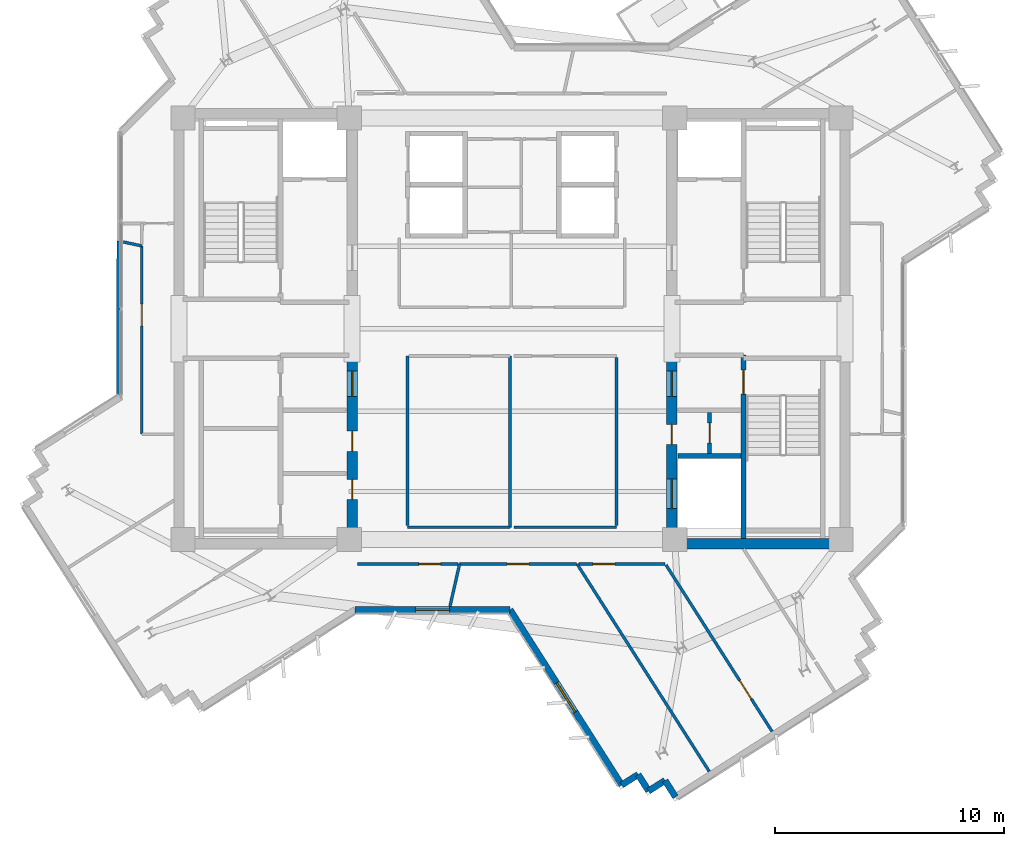
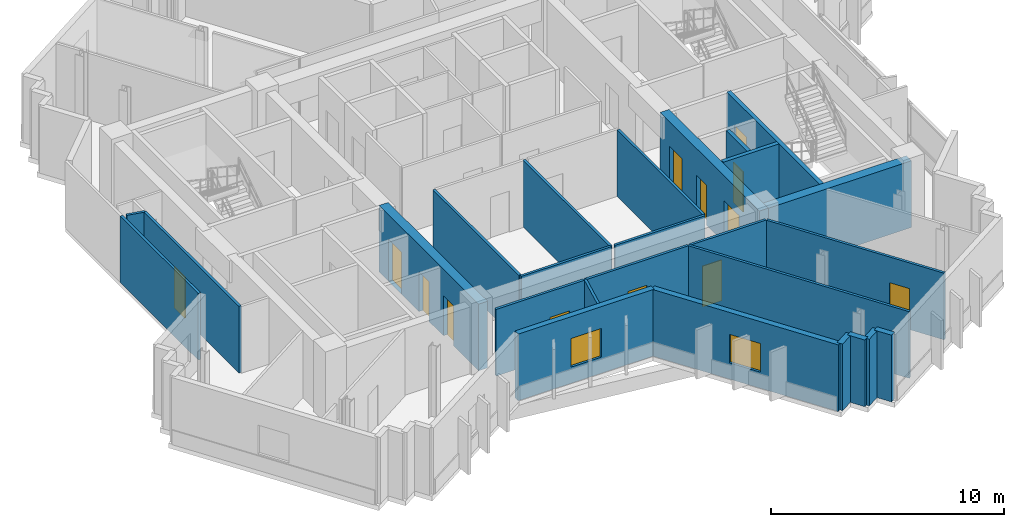
# One storey, part 5 of 12: 26 walls, 13 doors, 2 windows, 15 openings.
"""IFC4 building model written with IfcOpenShell, lengths in metres."""

from ifc_helpers import new_model, si_unit, direction, frame, frame_2d, origin, place, context, subcontext, project, spatial, rectangle, extrude, source, transform, mapped, material, layer, layer_set, type_object, element, fill, save


model = new_model("IFC4")

# Units and contexts
model_context = context("Model", 3, precision=1e-05, world=origin(), true_north=direction((0.0, 1.0)))
body_context = subcontext(model_context, "Body", "Model", "MODEL_VIEW")
ifc_project = project(units=[si_unit("LENGTHUNIT", "METRE"), si_unit("AREAUNIT", "SQUARE_METRE"), si_unit("VOLUMEUNIT", "CUBIC_METRE"), si_unit("PLANEANGLEUNIT", "RADIAN"), si_unit("MASSUNIT", "GRAM", prefix="KILO")], contexts=[model_context])

# Site, building, storey
site_placement = place(None, origin())
site = spatial("IfcSite", under=ifc_project, at=site_placement, CompositionType="ELEMENT")
building_placement = place(site_placement, origin())
building = spatial("IfcBuilding", under=site, at=building_placement, Name="Zahravan Cultural Tower", CompositionType="ELEMENT")
storey_placement = place(building_placement, frame((0.0, 0.0, 269.10009765625)))
storey = spatial("IfcBuildingStorey", under=building, at=storey_placement, Name="L64", CompositionType="ELEMENT", Elevation=269.10009765625)

# Wall, openings, doors
ifc_material_1 = material(Name="Concrete C50/60", Category="concrete")
ifc_layer_1 = layer(ifc_material_1, 0.449951171875)
ifc_layer_set_1 = layer_set([ifc_layer_1], Name="Concrete C50/60")
wall_type_1 = type_object("IfcWallType", Name="CW-SHEAR-450-C50", PredefinedType="SHEAR", material=ifc_layer_set_1)
wall_1_placement = place(storey_placement, frame((29.02490234375, 17.39990234375, 0.0), z_axis=(0.0, 0.0, 1.0), x_axis=(0.0, 1.0, 0.0)))
wall_1 = element("IfcWall", 1, at=wall_1_placement, inside=storey, type_object=wall_type_1, Name="L64 Core Shear Wall CW-W-ES-L64", PredefinedType="SHEAR", context=body_context, shape_type="SweptSolid", body=[
    extrude(rectangle(XDim=8.550048828125, YDim=0.449951171875, at=frame_2d((4.27490234375, 0.0))), origin(), (0.0, 0.0, 1.0), 3.5),
])
opening_1_placement = place(wall_1_placement, frame((6.64990234375, 0.0, 0.0)))
opening_1 = element("IfcOpeningElement", 2, at=opening_1_placement, cuts=wall_1, Name="Opening D-L64-08", PredefinedType="OPENING", context=body_context, shape_type="SweptSolid", body=[
    extrude(rectangle(XDim=1.10009765625, YDim=2.199951171875, at=frame_2d((0.550048828125, 1.10009765625))), frame((0.0, 0.23486328125, 0.0), z_axis=(0.0, -1.0, 0.0), x_axis=(1.0, 0.0, 0.0)), (0.0, 0.0, 1.0), 0.469970703125),
])
opening_2_placement = place(wall_1_placement, frame((2.14990234375, 0.0, 0.0)))
opening_2 = element("IfcOpeningElement", 3, at=opening_2_placement, cuts=wall_1, Name="Opening D-L64-10", PredefinedType="OPENING", context=body_context, shape_type="SweptSolid", body=[
    extrude(rectangle(XDim=0.8798828125, YDim=2.10009765625, at=frame_2d((0.43994140625, 1.050048828125))), frame((0.0, 0.23486328125, 0.0), z_axis=(0.0, -1.0, 0.0), x_axis=(1.0, 0.0, 0.0)), (0.0, 0.0, 1.0), 0.469970703125),
])
opening_3_placement = place(wall_1_placement, frame((4.25, 0.0, 0.0)))
opening_3 = element("IfcOpeningElement", 4, at=opening_3_placement, cuts=wall_1, Name="Opening D-L64-11", PredefinedType="OPENING", context=body_context, shape_type="SweptSolid", body=[
    extrude(rectangle(XDim=0.8798828125, YDim=2.10009765625, at=frame_2d((0.43994140625, 1.050048828125))), frame((0.0, 0.23486328125, 0.0), z_axis=(0.0, -1.0, 0.0), x_axis=(1.0, 0.0, 0.0)), (0.0, 0.0, 1.0), 0.469970703125),
])
ifc_material_2 = material(Name="Steel ASTM A572 Grade 50", Category="steel")
door_type_1 = type_object("IfcDoorType", Name="DR-LOBBY-1100", OperationType="NOTDEFINED", PredefinedType="DOOR", material=ifc_material_2)
shared_shape_1 = source(origin(), body_context, "Body", "SweptSolid", [
    extrude(rectangle(XDim=1.10009765625, YDim=2.199951171875, at=frame_2d((0.550048828125, 1.10009765625))), frame((0.0, 0.02490234375, 0.0), z_axis=(0.0, -1.0, 0.0), x_axis=(1.0, 0.0, 0.0)), (0.0, 0.0, 1.0), 0.050048828125),
])
door_1_placement = place(opening_1_placement, origin())
door_1 = element("IfcDoor", 5, at=door_1_placement, inside=storey, type_object=door_type_1, Name="L64 Door D-L64-08", OperationType="SINGLE_SWING_RIGHT", OverallHeight=2.199951171875, OverallWidth=1.10009765625, PredefinedType="DOOR", context=body_context, shape_type="MappedRepresentation", body=[
    mapped(shared_shape_1, transform((0.0, 0.0, 0.0), x_axis=(1.0, 0.0, 0.0), y_axis=(0.0, 1.0, 0.0), z_axis=(0.0, 0.0, 1.0), scale=1.0)),
])
fill(opening_1, door_1)
door_type_2 = type_object("IfcDoorType", Name="DR-SVC-880", OperationType="NOTDEFINED", PredefinedType="DOOR", material=ifc_material_2)
shared_shape_2 = source(origin(), body_context, "Body", "SweptSolid", [
    extrude(rectangle(XDim=0.8798828125, YDim=2.10009765625, at=frame_2d((0.43994140625, 1.050048828125))), frame((0.0, 0.02490234375, 0.0), z_axis=(0.0, -1.0, 0.0), x_axis=(1.0, 0.0, 0.0)), (0.0, 0.0, 1.0), 0.050048828125),
])
door_2_placement = place(opening_2_placement, origin())
door_2 = element("IfcDoor", 6, at=door_2_placement, inside=storey, type_object=door_type_2, Name="L64 Door D-L64-10", OperationType="SINGLE_SWING_RIGHT", OverallHeight=2.10009765625, OverallWidth=0.8798828125, PredefinedType="DOOR", context=body_context, shape_type="MappedRepresentation", body=[
    mapped(shared_shape_2, transform((0.0, 0.0, 0.0), x_axis=(1.0, 0.0, 0.0), y_axis=(0.0, 1.0, 0.0), z_axis=(0.0, 0.0, 1.0), scale=1.0)),
])
fill(opening_2, door_2)
door_3_placement = place(opening_3_placement, origin())
door_3 = element("IfcDoor", 7, at=door_3_placement, inside=storey, type_object=door_type_2, Name="L64 Door D-L64-11", OperationType="SINGLE_SWING_LEFT", OverallHeight=2.10009765625, OverallWidth=0.8798828125, PredefinedType="DOOR", context=body_context, shape_type="MappedRepresentation", body=[
    mapped(shared_shape_2, transform((0.0, 0.0, 0.0), x_axis=(1.0, 0.0, 0.0), y_axis=(0.0, 1.0, 0.0), z_axis=(0.0, 0.0, 1.0), scale=1.0)),
])
fill(opening_3, door_3)

wall_2_placement = place(storey_placement, frame((42.97509765625, 17.39990234375, 0.0), z_axis=(0.0, 0.0, 1.0), x_axis=(0.0, 1.0, 0.0)))
wall_2 = element("IfcWall", 8, at=wall_2_placement, inside=storey, type_object=wall_type_1, Name="L64 Core Shear Wall CW-E-WS-L64", PredefinedType="SHEAR", context=body_context, shape_type="SweptSolid", body=[
    extrude(rectangle(XDim=8.550048828125, YDim=0.449951171875, at=frame_2d((4.27490234375, 0.0))), origin(), (0.0, 0.0, 1.0), 3.5),
])
opening_4_placement = place(wall_2_placement, frame((6.64990234375, 0.0, 0.0)))
opening_4 = element("IfcOpeningElement", 9, at=opening_4_placement, cuts=wall_2, Name="Opening D-L64-09", PredefinedType="OPENING", context=body_context, shape_type="SweptSolid", body=[
    extrude(rectangle(XDim=1.10009765625, YDim=2.199951171875, at=frame_2d((0.550048828125, 1.10009765625))), frame((0.0, 0.23486328125, 0.0), z_axis=(0.0, -1.0, 0.0), x_axis=(1.0, 0.0, 0.0)), (0.0, 0.0, 1.0), 0.469970703125),
])
opening_5_placement = place(wall_2_placement, frame((1.75, 0.0, 0.0)))
opening_5 = element("IfcOpeningElement", 10, at=opening_5_placement, cuts=wall_2, Name="Opening LD-L64-03", PredefinedType="OPENING", context=body_context, shape_type="SweptSolid", body=[
    extrude(rectangle(XDim=1.300048828125, YDim=2.199951171875, at=frame_2d((0.64990234375, 1.10009765625))), frame((0.0, 0.23486328125, 0.0), z_axis=(0.0, -1.0, 0.0), x_axis=(1.0, 0.0, 0.0)), (0.0, 0.0, 1.0), 0.469970703125),
])
opening_6_placement = place(wall_2_placement, frame((4.550048828125, 0.0, 0.0)))
opening_6 = element("IfcOpeningElement", 11, at=opening_6_placement, cuts=wall_2, Name="Opening D-L64-12", PredefinedType="OPENING", context=body_context, shape_type="SweptSolid", body=[
    extrude(rectangle(XDim=0.8798828125, YDim=2.10009765625, at=frame_2d((0.43994140625, 1.050048828125))), frame((0.0, 0.23486328125, 0.0), z_axis=(0.0, -1.0, 0.0), x_axis=(1.0, 0.0, 0.0)), (0.0, 0.0, 1.0), 0.469970703125),
])
door_4_placement = place(opening_4_placement, origin())
door_4 = element("IfcDoor", 12, at=door_4_placement, inside=storey, type_object=door_type_1, Name="L64 Door D-L64-09", OperationType="SINGLE_SWING_LEFT", OverallHeight=2.199951171875, OverallWidth=1.10009765625, PredefinedType="DOOR", context=body_context, shape_type="MappedRepresentation", body=[
    mapped(shared_shape_1, transform((0.0, 0.0, 0.0), x_axis=(1.0, 0.0, 0.0), y_axis=(0.0, 1.0, 0.0), z_axis=(0.0, 0.0, 1.0), scale=1.0)),
])
fill(opening_4, door_4)
door_type_3 = type_object("IfcDoorType", Name="DR-LIFT-1300", OperationType="DOUBLE_DOOR_SLIDING", PredefinedType="DOOR", material=ifc_material_2)
shared_shape_3 = source(origin(), body_context, "Body", "SweptSolid", [
    extrude(rectangle(XDim=1.300048828125, YDim=2.199951171875, at=frame_2d((0.64990234375, 1.10009765625))), frame((0.0, 0.02490234375, 0.0), z_axis=(0.0, -1.0, 0.0), x_axis=(1.0, 0.0, 0.0)), (0.0, 0.0, 1.0), 0.050048828125),
])
door_5_placement = place(opening_5_placement, origin())
door_5 = element("IfcDoor", 13, at=door_5_placement, inside=storey, type_object=door_type_3, Name="L64 Door LD-L64-03", OperationType="DOUBLE_DOOR_SLIDING", OverallHeight=2.199951171875, OverallWidth=1.300048828125, PredefinedType="DOOR", context=body_context, shape_type="MappedRepresentation", body=[
    mapped(shared_shape_3, transform((0.0, 0.0, 0.0), x_axis=(1.0, 0.0, 0.0), y_axis=(0.0, 1.0, 0.0), z_axis=(0.0, 0.0, 1.0), scale=1.0)),
])
fill(opening_5, door_5)
door_6_placement = place(opening_6_placement, origin())
door_6 = element("IfcDoor", 14, at=door_6_placement, inside=storey, type_object=door_type_2, Name="L64 Door D-L64-12", OperationType="SINGLE_SWING_RIGHT", OverallHeight=2.10009765625, OverallWidth=0.8798828125, PredefinedType="DOOR", context=body_context, shape_type="MappedRepresentation", body=[
    mapped(shared_shape_2, transform((0.0, 0.0, 0.0), x_axis=(1.0, 0.0, 0.0), y_axis=(0.0, 1.0, 0.0), z_axis=(0.0, 0.0, 1.0), scale=1.0)),
])
fill(opening_6, door_6)

# Wall, opening, window
ifc_material_3 = material(Name="Precast concrete C40/50", Category="concrete")
ifc_layer_2 = layer(ifc_material_3, 0.280029296875)
ifc_layer_set_2 = layer_set([ifc_layer_2], Name="Precast concrete C40/50")
wall_type_2 = type_object("IfcWallType", Name="EW-TC-280", PredefinedType="SOLIDWALL", material=ifc_layer_set_2)
wall_3_placement = place(storey_placement, frame((40.78515625, 7.093505859375, 0.0), z_axis=(0.0, 0.0, 1.0), x_axis=(-0.537298831286, 0.843391940855, 0.0)))
wall_3 = element("IfcWall", 15, at=wall_3_placement, inside=storey, type_object=wall_type_2, Name="L64 Exterior Masonry Frame Wall 23", PredefinedType="SOLIDWALL", context=body_context, shape_type="SweptSolid", body=[
    extrude(rectangle(XDim=9.06640625, YDim=0.280029296875, at=frame_2d((4.533203125, 0.0))), origin(), (0.0, 0.0, 1.0), 3.5),
])
opening_7_placement = place(wall_3_placement, frame((3.782958984375, 0.0, 0.85009765625)))
opening_7 = element("IfcOpeningElement", 16, at=opening_7_placement, cuts=wall_3, Name="Opening WN-03", PredefinedType="OPENING", context=body_context, shape_type="SweptSolid", body=[
    extrude(rectangle(XDim=1.5, YDim=1.5, at=frame_2d((0.75, 0.75))), frame((0.0, 0.14990234375, 0.0), z_axis=(0.0, -1.0, 0.0), x_axis=(1.0, 0.0, 0.0)), (0.0, 0.0, 1.0), 0.300048828125),
])
ifc_material_4 = material(Name="Low-E solar-control double glazing", Category="glass")
window_type = type_object("IfcWindowType", Name="WN-REC-1500X1500", PartitioningType="SINGLE_PANEL", PredefinedType="WINDOW", material=ifc_material_4)
shared_shape_4 = source(origin(), body_context, "Body", "SweptSolid", [
    extrude(rectangle(XDim=1.5, YDim=1.5, at=frame_2d((0.75, 0.75))), frame((0.0, 0.030029296875, 0.0), z_axis=(0.0, -1.0, 0.0), x_axis=(1.0, 0.0, 0.0)), (0.0, 0.0, 1.0), 0.06005859375),
])
window_1_placement = place(opening_7_placement, origin())
window_1 = element("IfcWindow", 17, at=window_1_placement, inside=storey, type_object=window_type, Name="L64 Recessed Solar Window 03", OverallHeight=1.5, OverallWidth=1.5, PartitioningType="SINGLE_PANEL", PredefinedType="WINDOW", context=body_context, shape_type="MappedRepresentation", body=[
    mapped(shared_shape_4, transform((0.0, 0.0, 0.0), x_axis=(1.0, 0.0, 0.0), y_axis=(0.0, 1.0, 0.0), z_axis=(0.0, 0.0, 1.0), scale=1.0)),
])
fill(opening_7, window_1)

wall_4_placement = place(storey_placement, frame((35.913818359375, 14.739990234375, 0.0), z_axis=(0.0, 0.0, 1.0), x_axis=(-1.0, 0.0, 0.0)))
wall_4 = element("IfcWall", 18, at=wall_4_placement, inside=storey, type_object=wall_type_2, Name="L64 Exterior Masonry Frame Wall 24", PredefinedType="SOLIDWALL", context=body_context, shape_type="SweptSolid", body=[
    extrude(rectangle(XDim=6.762939453125, YDim=0.280029296875, at=frame_2d((3.38134765625, 0.0))), origin(), (0.0, 0.0, 1.0), 3.5),
])
opening_8_placement = place(wall_4_placement, frame((2.631103515625, 0.0, 0.85009765625)))
opening_8 = element("IfcOpeningElement", 19, at=opening_8_placement, cuts=wall_4, Name="Opening WN-03", PredefinedType="OPENING", context=body_context, shape_type="SweptSolid", body=[
    extrude(rectangle(XDim=1.5, YDim=1.5, at=frame_2d((0.75, 0.75))), frame((0.0, 0.14990234375, 0.0), z_axis=(0.0, -1.0, 0.0), x_axis=(1.0, 0.0, 0.0)), (0.0, 0.0, 1.0), 0.300048828125),
])
window_2_placement = place(opening_8_placement, origin())
window_2 = element("IfcWindow", 20, at=window_2_placement, inside=storey, type_object=window_type, Name="L64 Recessed Solar Window 04", OverallHeight=1.5, OverallWidth=1.5, PartitioningType="SINGLE_PANEL", PredefinedType="WINDOW", context=body_context, shape_type="MappedRepresentation", body=[
    mapped(shared_shape_4, transform((0.0, 0.0, 0.0), x_axis=(1.0, 0.0, 0.0), y_axis=(0.0, 1.0, 0.0), z_axis=(0.0, 0.0, 1.0), scale=1.0)),
])
fill(opening_8, window_2)

# Wall, opening, door
ifc_material_5 = material(Name="Gypsum plasterboard partition")
ifc_layer_3 = layer(ifc_material_5, 0.179931640625)
ifc_layer_set_3 = layer_set([ifc_layer_3], Name="Gypsum plasterboard partition")
wall_type_3 = type_object("IfcWallType", Name="W-COMP-180", PredefinedType="PARTITIONING", material=ifc_layer_set_3)
wall_5_placement = place(storey_placement, frame((44.6201171875, 21.550048828125, 0.0), z_axis=(0.0, 0.0, 1.0), x_axis=(0.0, 1.0, 0.0)))
wall_5 = element("IfcWall", 21, at=wall_5_placement, inside=storey, type_object=wall_type_3, Name="L64 Interior Wall 028", PredefinedType="PARTITIONING", context=body_context, shape_type="SweptSolid", body=[
    extrude(rectangle(XDim=1.800048828125, YDim=0.179931640625, at=frame_2d((0.89990234375, 0.0))), origin(), (0.0, 0.0, 1.0), 3.5),
])
opening_9_placement = place(wall_5_placement, frame((0.4599609375, 0.0, 0.0)))
opening_9 = element("IfcOpeningElement", 22, at=opening_9_placement, cuts=wall_5, Name="Opening D-L64-13", PredefinedType="OPENING", context=body_context, shape_type="SweptSolid", body=[
    extrude(rectangle(XDim=0.8798828125, YDim=2.10009765625, at=frame_2d((0.43994140625, 1.050048828125))), frame((0.0, 0.099853515625, 0.0), z_axis=(0.0, -1.0, 0.0), x_axis=(1.0, 0.0, 0.0)), (0.0, 0.0, 1.0), 0.199951171875),
])
door_7_placement = place(opening_9_placement, origin())
door_7 = element("IfcDoor", 23, at=door_7_placement, inside=storey, type_object=door_type_2, Name="L64 Door D-L64-13", OperationType="SINGLE_SWING_LEFT", OverallHeight=2.10009765625, OverallWidth=0.8798828125, PredefinedType="DOOR", context=body_context, shape_type="MappedRepresentation", body=[
    mapped(shared_shape_2, transform((0.0, 0.0, 0.0), x_axis=(1.0, 0.0, 0.0), y_axis=(0.0, 1.0, 0.0), z_axis=(0.0, 0.0, 1.0), scale=1.0)),
])
fill(opening_9, door_7)

ifc_layer_4 = layer(ifc_material_5, 0.125)
ifc_layer_set_4 = layer_set([ifc_layer_4], Name="Gypsum plasterboard partition")
wall_type_4 = type_object("IfcWallType", Name="W-PART-125", PredefinedType="PARTITIONING", material=ifc_layer_set_4)
wall_6_placement = place(storey_placement, frame((47.347412109375, 9.430419921875, 0.0), z_axis=(0.0, 0.0, 1.0), x_axis=(-0.537311775461, 0.843383694383, 0.0)))
wall_6 = element("IfcWall", 24, at=wall_6_placement, inside=storey, type_object=wall_type_4, Name="L64 Interior Wall 061", PredefinedType="PARTITIONING", context=body_context, shape_type="SweptSolid", body=[
    extrude(rectangle(XDim=8.6162109375, YDim=0.125, at=frame_2d((4.30810546875, 0.0))), origin(), (0.0, 0.0, 1.0), 3.5),
])
opening_10_placement = place(wall_6_placement, frame((1.6865234375, 0.0, 0.0)))
opening_10 = element("IfcOpeningElement", 25, at=opening_10_placement, cuts=wall_6, Name="Opening D-L64-33", PredefinedType="OPENING", context=body_context, shape_type="SweptSolid", body=[
    extrude(rectangle(XDim=0.949951171875, YDim=2.14990234375, at=frame_2d((0.47509765625, 1.074951171875))), frame((0.0, 0.072509765625, 0.0), z_axis=(0.0, -1.0, 0.0), x_axis=(1.0, 0.0, 0.0)), (0.0, 0.0, 1.0), 0.14501953125),
])
ifc_material_6 = material(Name="Anodised bronze-aluminium mullion", Category="aluminium")
door_type_4 = type_object("IfcDoorType", Name="DR-ROOM-950", OperationType="NOTDEFINED", PredefinedType="DOOR", material=ifc_material_6)
shared_shape_5 = source(origin(), body_context, "Body", "SweptSolid", [
    extrude(rectangle(XDim=0.949951171875, YDim=2.14990234375, at=frame_2d((0.47509765625, 1.074951171875))), frame((0.0, 0.02490234375, 0.0), z_axis=(0.0, -1.0, 0.0), x_axis=(1.0, 0.0, 0.0)), (0.0, 0.0, 1.0), 0.050048828125),
])
door_8_placement = place(opening_10_placement, origin())
door_8 = element("IfcDoor", 26, at=door_8_placement, inside=storey, type_object=door_type_4, Name="L64 Door D-L64-33", OperationType="SINGLE_SWING_LEFT", OverallHeight=2.14990234375, OverallWidth=0.949951171875, PredefinedType="DOOR", context=body_context, shape_type="MappedRepresentation", body=[
    mapped(shared_shape_5, transform((0.0, 0.0, 0.0), x_axis=(1.0, 0.0, 0.0), y_axis=(0.0, 1.0, 0.0), z_axis=(0.0, 0.0, 1.0), scale=1.0)),
])
fill(opening_10, door_8)

wall_7_placement = place(storey_placement, frame((38.9169921875, 16.739990234375, 0.0), z_axis=(0.0, 0.0, 1.0), x_axis=(1.0, 0.0, 0.0)))
wall_7 = element("IfcWall", 27, at=wall_7_placement, inside=storey, type_object=wall_type_4, Name="L64 Interior Wall 065", PredefinedType="PARTITIONING", context=body_context, shape_type="SweptSolid", body=[
    extrude(rectangle(XDim=3.749755859375, YDim=0.125, at=frame_2d((1.875, 0.0))), origin(), (0.0, 0.0, 1.0), 3.5),
])
opening_11_placement = place(wall_7_placement, frame((0.615966796875, 0.0, 0.0)))
opening_11 = element("IfcOpeningElement", 28, at=opening_11_placement, cuts=wall_7, Name="Opening D-L64-28", PredefinedType="OPENING", context=body_context, shape_type="SweptSolid", body=[
    extrude(rectangle(XDim=0.949951171875, YDim=2.14990234375, at=frame_2d((0.47509765625, 1.074951171875))), frame((0.0, 0.072509765625, 0.0), z_axis=(0.0, -1.0, 0.0), x_axis=(1.0, 0.0, 0.0)), (0.0, 0.0, 1.0), 0.14501953125),
])
door_9_placement = place(opening_11_placement, origin())
door_9 = element("IfcDoor", 29, at=door_9_placement, inside=storey, type_object=door_type_4, Name="L64 Door D-L64-28", OperationType="SINGLE_SWING_RIGHT", OverallHeight=2.14990234375, OverallWidth=0.949951171875, PredefinedType="DOOR", context=body_context, shape_type="MappedRepresentation", body=[
    mapped(shared_shape_5, transform((0.0, 0.0, 0.0), x_axis=(1.0, 0.0, 0.0), y_axis=(0.0, 1.0, 0.0), z_axis=(0.0, 0.0, 1.0), scale=1.0)),
])
fill(opening_11, door_9)

wall_8_placement = place(storey_placement, frame((19.85009765625, 30.61279296875, 0.0), z_axis=(0.0, 0.0, 1.0), x_axis=(0.0, -1.0, 0.0)))
wall_8 = element("IfcWall", 30, at=wall_8_placement, inside=storey, type_object=wall_type_4, Name="L64 Interior Wall 081", PredefinedType="PARTITIONING", context=body_context, shape_type="SweptSolid", body=[
    extrude(rectangle(XDim=8.206787109375, YDim=0.125, at=frame_2d((4.103515625, 0.0))), origin(), (0.0, 0.0, 1.0), 3.5),
])
opening_12_placement = place(wall_8_placement, frame((2.5400390625, 0.0, 0.0)))
opening_12 = element("IfcOpeningElement", 31, at=opening_12_placement, cuts=wall_8, Name="Opening D-L64-25", PredefinedType="OPENING", context=body_context, shape_type="SweptSolid", body=[
    extrude(rectangle(XDim=0.949951171875, YDim=2.14990234375, at=frame_2d((0.47509765625, 1.074951171875))), frame((0.0, 0.072509765625, 0.0), z_axis=(0.0, -1.0, 0.0), x_axis=(1.0, 0.0, 0.0)), (0.0, 0.0, 1.0), 0.14501953125),
])
door_10_placement = place(opening_12_placement, origin())
door_10 = element("IfcDoor", 32, at=door_10_placement, inside=storey, type_object=door_type_4, Name="L64 Door D-L64-25", OperationType="SINGLE_SWING_LEFT", OverallHeight=2.14990234375, OverallWidth=0.949951171875, PredefinedType="DOOR", context=body_context, shape_type="MappedRepresentation", body=[
    mapped(shared_shape_5, transform((0.0, 0.0, 0.0), x_axis=(1.0, 0.0, 0.0), y_axis=(0.0, 1.0, 0.0), z_axis=(0.0, 0.0, 1.0), scale=1.0)),
])
fill(opening_12, door_10)

wall_9_placement = place(storey_placement, frame((33.714111328125, 16.739990234375, 0.0), z_axis=(0.0, 0.0, 1.0), x_axis=(1.0, 0.0, 0.0)))
wall_9 = element("IfcWall", 33, at=wall_9_placement, inside=storey, type_object=wall_type_4, Name="L64 Interior Wall 090", PredefinedType="PARTITIONING", context=body_context, shape_type="SweptSolid", body=[
    extrude(rectangle(XDim=5.09912109375, YDim=0.125, at=frame_2d((2.549560546875, 0.0))), origin(), (0.0, 0.0, 1.0), 3.5),
])
opening_13_placement = place(wall_9_placement, frame((2.07470703125, 0.0, 0.0)))
opening_13 = element("IfcOpeningElement", 34, at=opening_13_placement, cuts=wall_9, Name="Opening D-L64-27", PredefinedType="OPENING", context=body_context, shape_type="SweptSolid", body=[
    extrude(rectangle(XDim=0.949951171875, YDim=2.14990234375, at=frame_2d((0.47509765625, 1.074951171875))), frame((0.0, 0.072509765625, 0.0), z_axis=(0.0, -1.0, 0.0), x_axis=(1.0, 0.0, 0.0)), (0.0, 0.0, 1.0), 0.14501953125),
])
door_11_placement = place(opening_13_placement, origin())
door_11 = element("IfcDoor", 35, at=door_11_placement, inside=storey, type_object=door_type_4, Name="L64 Door D-L64-27", OperationType="SINGLE_SWING_LEFT", OverallHeight=2.14990234375, OverallWidth=0.949951171875, PredefinedType="DOOR", context=body_context, shape_type="MappedRepresentation", body=[
    mapped(shared_shape_5, transform((0.0, 0.0, 0.0), x_axis=(1.0, 0.0, 0.0), y_axis=(0.0, 1.0, 0.0), z_axis=(0.0, 0.0, 1.0), scale=1.0)),
])
fill(opening_13, door_11)

wall_10_placement = place(storey_placement, frame((29.257568359375, 16.740234375, 0.0), z_axis=(0.0, 0.0, 1.0), x_axis=(0.999999998452, -5.5645206e-05, 0.0)))
wall_10 = element("IfcWall", 36, at=wall_10_placement, inside=storey, type_object=wall_type_4, Name="L64 Interior Wall 094", PredefinedType="PARTITIONING", context=body_context, shape_type="SweptSolid", body=[
    extrude(rectangle(XDim=4.387451171875, YDim=0.125, at=frame_2d((2.19384765625, 0.0))), origin(), (0.0, 0.0, 1.0), 3.5),
])
opening_14_placement = place(wall_10_placement, frame((2.68115234375, 0.0, 0.0)))
opening_14 = element("IfcOpeningElement", 37, at=opening_14_placement, cuts=wall_10, Name="Opening D-L64-26", PredefinedType="OPENING", context=body_context, shape_type="SweptSolid", body=[
    extrude(rectangle(XDim=0.949951171875, YDim=2.14990234375, at=frame_2d((0.47509765625, 1.074951171875))), frame((0.0, 0.072509765625, 0.0), z_axis=(0.0, -1.0, 0.0), x_axis=(1.0, 0.0, 0.0)), (0.0, 0.0, 1.0), 0.14501953125),
])
door_12_placement = place(opening_14_placement, origin())
door_12 = element("IfcDoor", 38, at=door_12_placement, inside=storey, type_object=door_type_4, Name="L64 Door D-L64-26", OperationType="SINGLE_SWING_RIGHT", OverallHeight=2.14990234375, OverallWidth=0.949951171875, PredefinedType="DOOR", context=body_context, shape_type="MappedRepresentation", body=[
    mapped(shared_shape_5, transform((0.0, 0.0, 0.0), x_axis=(1.0, 0.0, 0.0), y_axis=(0.0, 1.0, 0.0), z_axis=(0.0, 0.0, 1.0), scale=1.0)),
])
fill(opening_14, door_12)

ifc_material_7 = material(Name="Concrete C45/55", Category="concrete")
ifc_layer_5 = layer(ifc_material_7, 0.199951171875)
ifc_layer_set_5 = layer_set([ifc_layer_5], Name="Concrete C45/55")
wall_type_5 = type_object("IfcWallType", Name="W-SHAFT-200", PredefinedType="SOLIDWALL", material=ifc_layer_set_5)
wall_11_placement = place(storey_placement, frame((46.10009765625, 17.85009765625, 0.0), z_axis=(0.0, 0.0, 1.0), x_axis=(0.0, 1.0, 0.0)))
wall_11 = element("IfcWall", 39, at=wall_11_placement, inside=storey, type_object=wall_type_5, Name="L64 Interior Wall 007", PredefinedType="SOLIDWALL", context=body_context, shape_type="SweptSolid", body=[
    extrude(rectangle(XDim=8.0, YDim=0.199951171875, at=frame_2d((4.0, 0.0))), origin(), (0.0, 0.0, 1.0), 3.5),
])
opening_15_placement = place(wall_11_placement, frame((6.300048828125, 0.0, 0.0)))
opening_15 = element("IfcOpeningElement", 40, at=opening_15_placement, cuts=wall_11, Name="Opening D-L64-03", PredefinedType="OPENING", context=body_context, shape_type="SweptSolid", body=[
    extrude(rectangle(XDim=1.050048828125, YDim=2.14990234375, at=frame_2d((0.52490234375, 1.074951171875))), frame((0.0, 0.10986328125, 0.0), z_axis=(0.0, -1.0, 0.0), x_axis=(1.0, 0.0, 0.0)), (0.0, 0.0, 1.0), 0.219970703125),
])
door_type_5 = type_object("IfcDoorType", Name="DR-STAIR-1050", OperationType="NOTDEFINED", PredefinedType="DOOR", material=ifc_material_2)
shared_shape_6 = source(origin(), body_context, "Body", "SweptSolid", [
    extrude(rectangle(XDim=1.050048828125, YDim=2.14990234375, at=frame_2d((0.52490234375, 1.074951171875))), frame((0.0, 0.02490234375, 0.0), z_axis=(0.0, -1.0, 0.0), x_axis=(1.0, 0.0, 0.0)), (0.0, 0.0, 1.0), 0.050048828125),
])
door_13_placement = place(opening_15_placement, origin())
door_13 = element("IfcDoor", 41, at=door_13_placement, inside=storey, type_object=door_type_5, Name="L64 Door D-L64-03", OperationType="SINGLE_SWING_LEFT", OverallHeight=2.14990234375, OverallWidth=1.050048828125, PredefinedType="DOOR", context=body_context, shape_type="MappedRepresentation", body=[
    mapped(shared_shape_6, transform((0.0, 0.0, 0.0), x_axis=(1.0, 0.0, 0.0), y_axis=(0.0, 1.0, 0.0), z_axis=(0.0, 0.0, 1.0), scale=1.0)),
])
fill(opening_15, door_13)

# Walls
shared_shape_7 = source(origin(), body_context, "Body", "SweptSolid", [
    extrude(rectangle(XDim=7.10009765625, YDim=0.449951171875, at=frame_2d((3.550048828125, 0.0))), origin(), (0.0, 0.0, 1.0), 3.5),
])
wall_12_placement = place(storey_placement, frame((43.199951171875, 17.625, 0.0), z_axis=(0.0, 0.0, 1.0), x_axis=(1.0, 0.0, 0.0)))
element("IfcWall", 42, at=wall_12_placement, inside=storey, type_object=wall_type_1, Name="L64 Core Shear Wall CW-E-S-L64", PredefinedType="SHEAR", context=body_context, shape_type="MappedRepresentation", body=[
    mapped(shared_shape_7, transform((0.0, 0.0, 0.0), x_axis=(1.0, 0.0, 0.0), y_axis=(0.0, 1.0, 0.0), z_axis=(0.0, 0.0, 1.0), scale=1.0)),
])
shared_shape_8 = source(origin(), body_context, "Body", "SweptSolid", [
    extrude(rectangle(XDim=0.85009765625, YDim=0.280029296875, at=frame_2d((0.425048828125, 0.0))), origin(), (0.0, 0.0, 1.0), 3.5),
])
wall_13_placement = place(storey_placement, frame((42.67578125, 7.2900390625, 0.0), z_axis=(0.0, 0.0, 1.0), x_axis=(-0.843531374408, -0.537079901308, 0.0)))
element("IfcWall", 43, at=wall_13_placement, inside=storey, type_object=wall_type_2, Name="L64 Exterior Masonry Frame Wall 20", PredefinedType="SOLIDWALL", context=body_context, shape_type="MappedRepresentation", body=[
    mapped(shared_shape_8, transform((0.0, 0.0, 0.0), x_axis=(1.0, 0.0, 0.0), y_axis=(0.0, 1.0, 0.0), z_axis=(0.0, 0.0, 1.0), scale=1.0)),
])
shared_shape_9 = source(origin(), body_context, "Body", "SweptSolid", [
    extrude(rectangle(XDim=0.849853515625, YDim=0.280029296875, at=frame_2d((0.4248046875, 0.0))), origin(), (0.0, 0.0, 1.0), 3.5),
])
for number, where, z_axis, x_axis, name in (
    (44, (43.13232421875, 6.5732421875, 0.0), (0.0, 0.0, 1.0), (-0.537210044462, 0.843448497615, 0.0), "L64 Exterior Masonry Frame Wall 19"),
    (45, (41.958740234375, 6.83349609375, 0.0), (0.0, 0.0, 1.0), (-0.537414368337, 0.843318324659, 0.0), "L64 Exterior Masonry Frame Wall 21"),
    (46, (41.501953125, 7.55029296875, 0.0), (0.0, 0.0, 1.0), (-0.843318324659, -0.537414368337, 0.0), "L64 Exterior Masonry Frame Wall 22"),
):
    element("IfcWall", number, at=place(storey_placement, frame(where, z_axis=z_axis, x_axis=x_axis)), inside=storey, type_object=wall_type_2, Name=name, PredefinedType="SOLIDWALL", context=body_context, shape_type="MappedRepresentation", body=[
        mapped(shared_shape_9, transform((0.0, 0.0, 0.0), x_axis=(1.0, 0.0, 0.0), y_axis=(0.0, 1.0, 0.0), z_axis=(0.0, 0.0, 1.0), scale=1.0)),
    ])
shared_shape_10 = source(origin(), body_context, "Body", "SweptSolid", [
    extrude(rectangle(XDim=2.75, YDim=0.199951171875, at=frame_2d((1.375, 0.0))), origin(), (0.0, 0.0, 1.0), 3.5),
])
wall_14_placement = place(storey_placement, frame((43.25, 21.449951171875, 0.0), z_axis=(0.0, 0.0, 1.0), x_axis=(1.0, 0.0, 0.0)))
element("IfcWall", 47, at=wall_14_placement, inside=storey, type_object=wall_type_5, Name="L64 Interior Wall 026", PredefinedType="SOLIDWALL", context=body_context, shape_type="MappedRepresentation", body=[
    mapped(shared_shape_10, transform((0.0, 0.0, 0.0), x_axis=(1.0, 0.0, 0.0), y_axis=(0.0, 1.0, 0.0), z_axis=(0.0, 0.0, 1.0), scale=1.0)),
])
shared_shape_11 = source(origin(), body_context, "Body", "SweptSolid", [
    extrude(rectangle(XDim=4.469970703125, YDim=0.125, at=frame_2d((2.23486328125, 0.0))), origin(), (0.0, 0.0, 1.0), 3.5),
])
for number, where, z_axis, x_axis, name in (
    (48, (35.909912109375, 18.340087890625, 0.0), (0.0, 0.0, 1.0), (-1.0, 0.0, 0.0), "L64 Interior Wall 069"),
    (49, (40.56005859375, 18.340087890625, 0.0), (0.0, 0.0, 1.0), (-1.0, 0.0, 0.0), "L64 Interior Wall 073"),
):
    element("IfcWall", number, at=place(storey_placement, frame(where, z_axis=z_axis, x_axis=x_axis)), inside=storey, type_object=wall_type_4, Name=name, PredefinedType="PARTITIONING", context=body_context, shape_type="MappedRepresentation", body=[
        mapped(shared_shape_11, transform((0.0, 0.0, 0.0), x_axis=(1.0, 0.0, 0.0), y_axis=(0.0, 1.0, 0.0), z_axis=(0.0, 0.0, 1.0), scale=1.0)),
    ])
shared_shape_12 = source(origin(), body_context, "Body", "SweptSolid", [
    extrude(rectangle(XDim=10.737548828125, YDim=0.125, at=frame_2d((5.36865234375, 0.0))), origin(), (0.0, 0.0, 1.0), 3.5),
])
wall_15_placement = place(storey_placement, frame((44.606201171875, 7.68408203125, 0.0), z_axis=(0.0, 0.0, 1.0), x_axis=(-0.53730207986, 0.843389871281, 0.0)))
element("IfcWall", 50, at=wall_15_placement, inside=storey, type_object=wall_type_4, Name="L64 Interior Wall 064", PredefinedType="PARTITIONING", context=body_context, shape_type="MappedRepresentation", body=[
    mapped(shared_shape_12, transform((0.0, 0.0, 0.0), x_axis=(1.0, 0.0, 0.0), y_axis=(0.0, 1.0, 0.0), z_axis=(0.0, 0.0, 1.0), scale=1.0)),
])
shared_shape_13 = source(origin(), body_context, "Body", "SweptSolid", [
    extrude(rectangle(XDim=7.402587890625, YDim=0.125, at=frame_2d((3.701171875, 0.0))), origin(), (0.0, 0.0, 1.0), 3.5),
])
wall_16_placement = place(storey_placement, frame((31.43994140625, 18.407470703125, 0.0), z_axis=(0.0, 0.0, 1.0), x_axis=(0.0, 1.0, 0.0)))
element("IfcWall", 51, at=wall_16_placement, inside=storey, type_object=wall_type_4, Name="L64 Interior Wall 070", PredefinedType="PARTITIONING", context=body_context, shape_type="MappedRepresentation", body=[
    mapped(shared_shape_13, transform((0.0, 0.0, 0.0), x_axis=(1.0, 0.0, 0.0), y_axis=(0.0, 1.0, 0.0), z_axis=(0.0, 0.0, 1.0), scale=1.0)),
])
shared_shape_14 = source(origin(), body_context, "Body", "SweptSolid", [
    extrude(rectangle(XDim=7.469970703125, YDim=0.125, at=frame_2d((3.73486328125, 0.0))), origin(), (0.0, 0.0, 1.0), 3.5),
])
wall_17_placement = place(storey_placement, frame((35.909912109375, 25.81005859375, 0.0), z_axis=(0.0, 0.0, 1.0), x_axis=(0.0, -1.0, 0.0)))
element("IfcWall", 52, at=wall_17_placement, inside=storey, type_object=wall_type_4, Name="L64 Interior Wall 072", PredefinedType="PARTITIONING", context=body_context, shape_type="MappedRepresentation", body=[
    mapped(shared_shape_14, transform((0.0, 0.0, 0.0), x_axis=(1.0, 0.0, 0.0), y_axis=(0.0, 1.0, 0.0), z_axis=(0.0, 0.0, 1.0), scale=1.0)),
])
shared_shape_15 = source(origin(), body_context, "Body", "SweptSolid", [
    extrude(rectangle(XDim=7.3349609375, YDim=0.125, at=frame_2d((3.66748046875, 0.0))), origin(), (0.0, 0.0, 1.0), 3.5),
])
wall_18_placement = place(storey_placement, frame((40.56005859375, 25.742431640625, 0.0), z_axis=(0.0, 0.0, 1.0), x_axis=(0.0, -1.0, 0.0)))
element("IfcWall", 53, at=wall_18_placement, inside=storey, type_object=wall_type_4, Name="L64 Interior Wall 075", PredefinedType="PARTITIONING", context=body_context, shape_type="MappedRepresentation", body=[
    mapped(shared_shape_15, transform((0.0, 0.0, 0.0), x_axis=(1.0, 0.0, 0.0), y_axis=(0.0, 1.0, 0.0), z_axis=(0.0, 0.0, 1.0), scale=1.0)),
])
shared_shape_16 = source(origin(), body_context, "Body", "SweptSolid", [
    extrude(rectangle(XDim=6.712646484375, YDim=0.125, at=frame_2d((3.3564453125, 0.0))), origin(), (0.0, 0.0, 1.0), 3.5),
])
wall_19_placement = place(storey_placement, frame((18.81787109375, 24.122314453125, 0.0), z_axis=(0.0, 0.0, 1.0), x_axis=(0.000327332225, 0.999999946427, 0.0)))
element("IfcWall", 54, at=wall_19_placement, inside=storey, type_object=wall_type_4, Name="L64 Interior Wall 083", PredefinedType="PARTITIONING", context=body_context, shape_type="MappedRepresentation", body=[
    mapped(shared_shape_16, transform((0.0, 0.0, 0.0), x_axis=(1.0, 0.0, 0.0), y_axis=(0.0, 1.0, 0.0), z_axis=(0.0, 0.0, 1.0), scale=1.0)),
])
shared_shape_17 = source(origin(), body_context, "Body", "SweptSolid", [
    extrude(rectangle(XDim=0.82373046875, YDim=0.125, at=frame_2d((0.411865234375, 0.0))), origin(), (0.0, 0.0, 1.0), 3.5),
])
wall_20_placement = place(storey_placement, frame((19.044921875, 30.786376953125, 0.0), z_axis=(0.0, 0.0, 1.0), x_axis=(0.977541402347, -0.210743461816, 0.0)))
element("IfcWall", 55, at=wall_20_placement, inside=storey, type_object=wall_type_4, Name="L64 Interior Wall 084", PredefinedType="PARTITIONING", context=body_context, shape_type="MappedRepresentation", body=[
    mapped(shared_shape_17, transform((0.0, 0.0, 0.0), x_axis=(1.0, 0.0, 0.0), y_axis=(0.0, 1.0, 0.0), z_axis=(0.0, 0.0, 1.0), scale=1.0)),
])
shared_shape_18 = source(origin(), body_context, "Body", "SweptSolid", [
    extrude(rectangle(XDim=1.902099609375, YDim=0.125, at=frame_2d((0.951171875, 0.0))), origin(), (0.0, 0.0, 1.0), 3.5),
])
wall_21_placement = place(storey_placement, frame((33.293701171875, 14.885009765625, 0.0), z_axis=(0.0, 0.0, 1.0), x_axis=(0.221032985594, 0.975266332485, 0.0)))
element("IfcWall", 56, at=wall_21_placement, inside=storey, type_object=wall_type_4, Name="L64 Interior Wall 091", PredefinedType="PARTITIONING", context=body_context, shape_type="MappedRepresentation", body=[
    mapped(shared_shape_18, transform((0.0, 0.0, 0.0), x_axis=(1.0, 0.0, 0.0), y_axis=(0.0, 1.0, 0.0), z_axis=(0.0, 0.0, 1.0), scale=1.0)),
])

save(model, "model.ifc")
